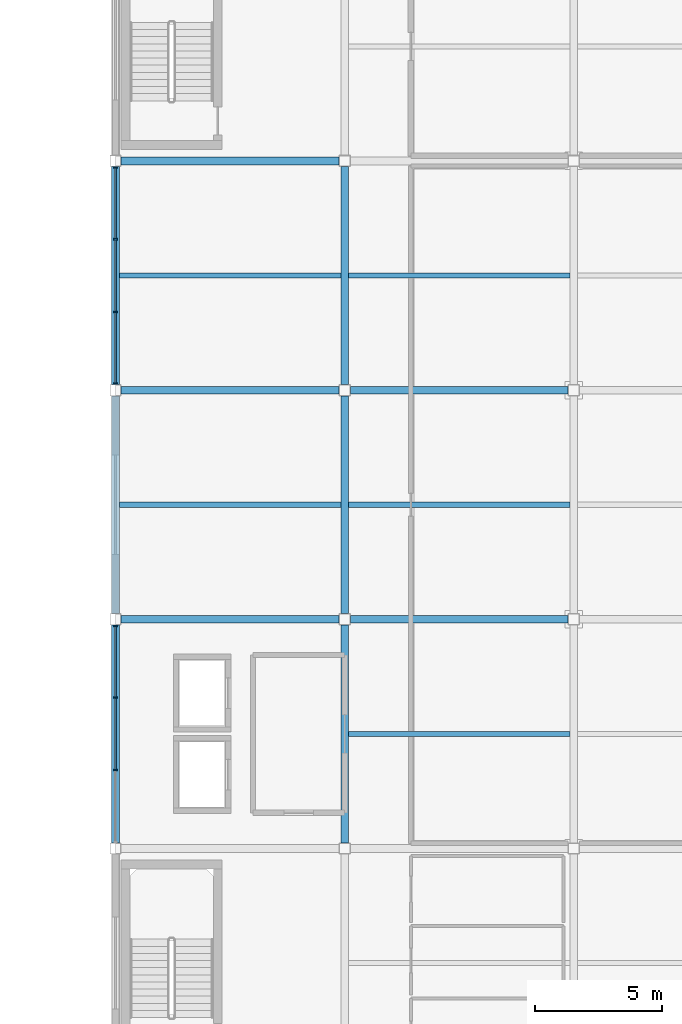
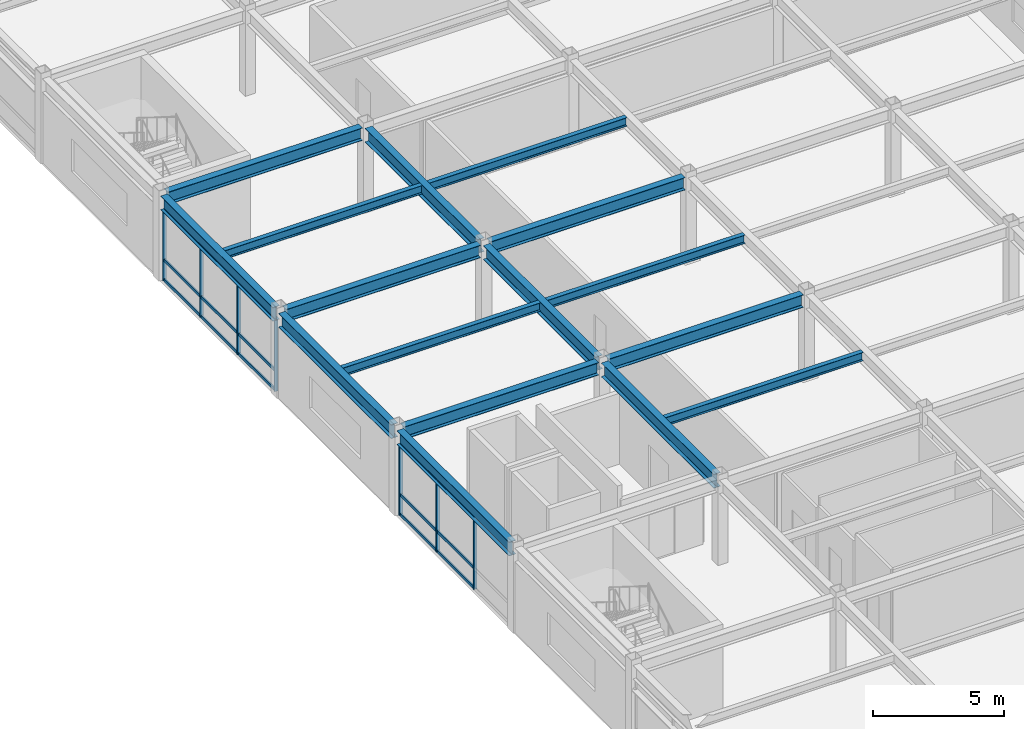
# One storey, part 56 of 105: 22 members, 16 beams, 2 elements without a shape of their own.
"""IFC4 building model written with IfcOpenShell, lengths in metres."""

import ifcopenshell
import ifcopenshell.guid

model = None  # the IFC model being written
_history = None  # IfcOwnerHistory: only IFC2X3 demands one
_inside = {}  # id of a spatial element -> (the spatial element, [elements in it])
_under = {}  # id of a project, library or spatial element -> (it, [spatial elements below it])
_declared = {}  # id of a project -> (the project, [libraries it declares])
_typed = {}  # id of a type object -> (the type object, [elements of that type])
_made_of = {}  # id of a material, layer set ... -> (it, [elements and type objects made of it])


def new_model(schema):
    """Start an empty IFC model of exactly this schema.

    Asked for "IFC4X3", IfcOpenShell would pick the latest addendum, in which some entities
    have other attributes; the version numbers below select the first issue.
    IFC2X3 requires an IfcOwnerHistory on every rooted entity: one is made here for all.
    """
    global model, _history
    if schema == "IFC4X3":
        model = ifcopenshell.file(schema_version=(4, 3, 0, 0))
    else:
        model = ifcopenshell.file(schema=schema)
    _inside.clear()
    _under.clear()
    _declared.clear()
    _typed.clear()
    _made_of.clear()
    _history = None
    if model.schema == "IFC2X3":
        org = make("IfcOrganization", Name="unknown")
        user = make(
            "IfcPersonAndOrganization",
            ThePerson=make("IfcPerson", FamilyName="unknown"),
            TheOrganization=org,
        )
        app = make(
            "IfcApplication",
            ApplicationDeveloper=org,
            Version="unknown",
            ApplicationFullName="unknown",
            ApplicationIdentifier="unknown",
        )
        _history = make(
            "IfcOwnerHistory",
            OwningUser=user,
            OwningApplication=app,
            ChangeAction="ADDED",
            CreationDate=0,
        )
    return model


def make(cls, **values):
    """One entity of the class cls with the attributes given. An attribute that is None is left unset."""
    return model.create_entity(
        cls, **{name: value for name, value in values.items() if value is not None}
    )


def rooted(cls, **values):
    """An entity with a GlobalId (a new one), such as an element, a storey or a relation."""
    return make(cls, GlobalId=ifcopenshell.guid.new(), OwnerHistory=_history, **values)


def si_unit(unit_type, name, prefix=None):
    """IfcSIUnit, for example si_unit("LENGTHUNIT", "METRE", prefix="MILLI")."""
    return make("IfcSIUnit", UnitType=unit_type, Prefix=prefix, Name=name)


def assignment(units):
    """IfcUnitAssignment: the units of a project."""
    return None if units is None else make("IfcUnitAssignment", Units=units)


def point(xyz):
    """IfcCartesianPoint."""
    return None if xyz is None else make("IfcCartesianPoint", Coordinates=xyz)


def direction(xyz):
    """IfcDirection."""
    return None if xyz is None else make("IfcDirection", DirectionRatios=xyz)


def frame(location, z_axis=None, x_axis=None):
    """IfcAxis2Placement3D, a coordinate frame: its origin and axes. An axis left out is left unset."""
    return make(
        "IfcAxis2Placement3D",
        Location=point(location),
        Axis=direction(z_axis),
        RefDirection=direction(x_axis),
    )


def frame_2d(location, x_axis=None):
    """IfcAxis2Placement2D, a coordinate frame in the plane: its origin and x axis."""
    return make(
        "IfcAxis2Placement2D", Location=point(location), RefDirection=direction(x_axis)
    )


def origin():
    """The frame at (0, 0, 0) with its axes left unset."""
    return frame((0.0, 0.0, 0.0))


def origin_2d():
    """The frame at (0, 0) in the plane with its x axis left unset."""
    return frame_2d((0.0, 0.0))


def place(relative_to, where):
    """IfcLocalPlacement: puts the frame where relative to a parent placement (None: the world)."""
    return make(
        "IfcLocalPlacement", PlacementRelTo=relative_to, RelativePlacement=where
    )


def context(
    kind, dimensions, precision=None, world=None, true_north=None, identifier=None
):
    """IfcGeometricRepresentationContext, for example the 3D "Model" context."""
    return make(
        "IfcGeometricRepresentationContext",
        ContextIdentifier=identifier,
        ContextType=kind,
        CoordinateSpaceDimension=dimensions,
        Precision=precision,
        WorldCoordinateSystem=world,
        TrueNorth=true_north,
    )


def subcontext(parent, identifier, kind, view, scale=None):
    """IfcGeometricRepresentationSubContext, for example "Body" below "Model"."""
    return make(
        "IfcGeometricRepresentationSubContext",
        ContextIdentifier=identifier,
        ContextType=kind,
        ParentContext=parent,
        TargetScale=scale,
        TargetView=view,
    )


def project(units=None, contexts=None):
    """IfcProject with its units and contexts."""
    return rooted(
        "IfcProject",
        Name="project",
        RepresentationContexts=contexts,
        UnitsInContext=assignment(units),
    )


def spatial(cls, under=None, at=None, **own):
    """A site, building, storey or space (cls), placed at a placement, below another one or the project."""
    s = rooted(cls, ObjectPlacement=at, **own)
    if under is not None:
        _under.setdefault(under.id(), (under, []))[1].append(s)
    return s


def profile(cls, at=None, kind="AREA", **sizes):
    """A parametric profile (cls). Its sizes go by their IFC names, for example OverallWidth=200.0."""
    return make(cls, ProfileType=kind, Position=at, **sizes)


def rectangle(**sizes):
    """IfcRectangleProfileDef."""
    return profile("IfcRectangleProfileDef", **sizes)


def i_section(**sizes):
    """IfcIShapeProfileDef."""
    return profile("IfcIShapeProfileDef", **sizes)


def extrude(swept, where, along, depth):
    """IfcExtrudedAreaSolid: the profile swept, set in the frame where, extruded along a direction by depth."""
    return make(
        "IfcExtrudedAreaSolid",
        SweptArea=swept,
        Position=where,
        ExtrudedDirection=direction(along),
        Depth=depth,
    )


def shape(context_of_items, identifier, shape_type, items):
    """IfcShapeRepresentation: the items that make up one representation, for example the "Body"."""
    return make(
        "IfcShapeRepresentation",
        ContextOfItems=context_of_items,
        RepresentationIdentifier=identifier,
        RepresentationType=shape_type,
        Items=items,
    )


def material(Name=None, Category=None):
    """IfcMaterial."""
    return make("IfcMaterial", Name=Name, Category=Category)


def material_profile(
    of_material, cross_section, Name=None, Category=None, Priority=None
):
    """IfcMaterialProfile: a cross section and its material."""
    return make(
        "IfcMaterialProfile",
        Name=Name,
        Material=of_material,
        Profile=cross_section,
        Priority=Priority,
        Category=Category,
    )


def profile_set(profiles, Name=None, composite=None):
    """IfcMaterialProfileSet."""
    return make(
        "IfcMaterialProfileSet",
        Name=Name,
        MaterialProfiles=profiles,
        CompositeProfile=composite,
    )


def made_of(thing, what):
    """Note that an element or type object is made of a material, layer set ...; save() writes the relation."""
    if what is not None:
        _made_of.setdefault(what.id(), (what, []))[1].append(thing)
    return thing


def type_object(cls, material=None, **own):
    """A type object (cls), such as IfcWallType, which elements share."""
    return made_of(rooted(cls, **own), material)


def element(
    cls,
    number,
    at=None,
    inside=None,
    cuts=None,
    type_object=None,
    material=None,
    context=None,
    identifier="Body",
    shape_type=None,
    held_by="IfcProductDefinitionShape",
    body=None,
    shapes=None,
    **own,
):
    """One element of the class cls, such as IfcWall. Its Tag is "e" and its number.

    at: its placement. inside: the storey or other place that contains it. cuts: it is an
    opening in that element (IfcRelVoidsElement). A single representation is given by context,
    identifier, shape_type and body (its items); several are given by shapes. held_by: the class
    of the entity that holds the representations. save() writes the other relations.
    """
    e = rooted(cls, Tag="e%d" % number, ObjectPlacement=at, **own)
    if body is not None:
        shapes = [shape(context, identifier, shape_type, body)]
    if shapes is not None:
        e.Representation = make(held_by, Representations=shapes)
    if inside is not None:
        _inside.setdefault(inside.id(), (inside, []))[1].append(e)
    if cuts is not None:
        rooted(
            "IfcRelVoidsElement", RelatingBuildingElement=cuts, RelatedOpeningElement=e
        )
    if type_object is not None:
        _typed.setdefault(type_object.id(), (type_object, []))[1].append(e)
    return made_of(e, material)


def aggregate(whole, parts):
    """IfcRelAggregates: a whole, such as a stair, and the parts it consists of."""
    return rooted("IfcRelAggregates", RelatingObject=whole, RelatedObjects=parts)


def save(model, path):
    """Write the relations noted so far, then the file.

    IfcRelAggregates (storeys below a building ...), IfcRelContainedInSpatialStructure (elements
    in a storey), IfcRelDefinesByType, IfcRelAssociatesMaterial and IfcRelDeclares: one each for
    every whole, place, type object, material and project.
    """
    for whole, parts in _under.values():
        aggregate(whole, parts)
    for where, things in _inside.values():
        rooted(
            "IfcRelContainedInSpatialStructure",
            RelatedElements=things,
            RelatingStructure=where,
        )
    for kind, things in _typed.values():
        rooted("IfcRelDefinesByType", RelatedObjects=things, RelatingType=kind)
    for what, things in _made_of.values():
        rooted("IfcRelAssociatesMaterial", RelatedObjects=things, RelatingMaterial=what)
    for by, libraries in _declared.values():
        rooted("IfcRelDeclares", RelatingContext=by, RelatedDefinitions=libraries)
    model.write(path)


model = new_model("IFC4")

# Units and contexts
model_context = context("Model", 3, precision=1e-05, world=origin(), true_north=direction((0.0, 1.0)))
body_context = subcontext(model_context, "Body", "Model", "MODEL_VIEW")
ifc_project = project(units=[si_unit("LENGTHUNIT", "METRE"), si_unit("AREAUNIT", "SQUARE_METRE"), si_unit("VOLUMEUNIT", "CUBIC_METRE"), si_unit("PLANEANGLEUNIT", "RADIAN"), si_unit("MASSUNIT", "GRAM", prefix="KILO")], contexts=[model_context])

# Site, building, storey
site_placement = place(None, origin())
site = spatial("IfcSite", under=ifc_project, at=site_placement, CompositionType="ELEMENT")
building_placement = place(site_placement, origin())
building = spatial("IfcBuilding", under=site, at=building_placement, Name="Suzunagisa Mobility Hub", CompositionType="ELEMENT")
storey_placement = place(building_placement, frame((0.0, 0.0, 5.10009765625)))
storey = spatial("IfcBuildingStorey", under=building, at=storey_placement, Name="L01", CompositionType="ELEMENT", Elevation=5.10009765625)

# Curtain wall, members
ifc_material_1 = material(Name="Thermally Broken Anodized Aluminum and Low-E Glazing", Category="aluminium")
curtain_wall_type = type_object("IfcCurtainWallType", Name="Unitised Curtain Wall CW-43 8500x3300", PredefinedType="USERDEFINED", material=ifc_material_1)
curtain_wall_1_placement = place(storey_placement, origin())
curtain_wall_1 = element("IfcCurtainWall", 1, at=curtain_wall_1_placement, inside=storey, type_object=curtain_wall_type, Name="L01 Unitised Curtain Wall CW-193", ObjectType="UNITISED CURTAIN WALL", PredefinedType="USERDEFINED")
ifc_material_2 = material(Name="Anodized Aluminum 6063-T6", Category="aluminium")
ifc_material_profile_1 = material_profile(ifc_material_2, rectangle(XDim=0.06494140625, YDim=0.139892578125, at=origin_2d()), Name="TRAN-65x140")
ifc_profile_set_1 = profile_set([ifc_material_profile_1], Name="Anodized Aluminum 6063-T6")
member_type_1 = type_object("IfcMemberType", Name="Curtain Wall Framing CM-01 TRAN-65x140", PredefinedType="USERDEFINED", material=ifc_profile_set_1)
member_1_placement = place(storey_placement, frame((144.0, 88.717041015625, 0.032470703125), z_axis=(0.0, -1.0, 0.0), x_axis=(1.0, 0.0, 0.0)))
member_1 = element("IfcMember", 2, at=member_1_placement, type_object=member_type_1, Name="Curtain Wall Transom 193-T1.1", ObjectType="TRANSOM", PredefinedType="USERDEFINED", context=body_context, shape_type="SweptSolid", body=[
    extrude(rectangle(XDim=0.06494140625, YDim=0.139892578125, at=origin_2d()), origin(), (0.0, 0.0, 1.0), 2.76416015625),
])
member_2_placement = place(storey_placement, frame((144.0, 88.717041015625, 0.949951171875), z_axis=(0.0, -1.0, 0.0), x_axis=(1.0, 0.0, 0.0)))
member_2 = element("IfcMember", 3, at=member_2_placement, type_object=member_type_1, Name="Curtain Wall Transom 193-T1.2", ObjectType="TRANSOM", PredefinedType="USERDEFINED", context=body_context, shape_type="SweptSolid", body=[
    extrude(rectangle(XDim=0.06494140625, YDim=0.139892578125, at=origin_2d()), origin(), (0.0, 0.0, 1.0), 2.76416015625),
])
member_3_placement = place(storey_placement, frame((144.0, 88.717041015625, 3.267333984375), z_axis=(0.0, -1.0, 0.0), x_axis=(1.0, 0.0, 0.0)))
member_3 = element("IfcMember", 4, at=member_3_placement, type_object=member_type_1, Name="Curtain Wall Transom 193-T1.3", ObjectType="TRANSOM", PredefinedType="USERDEFINED", context=body_context, shape_type="SweptSolid", body=[
    extrude(rectangle(XDim=0.06494140625, YDim=0.139892578125, at=origin_2d()), origin(), (0.0, 0.0, 1.0), 2.76416015625),
])
member_4_placement = place(storey_placement, frame((144.0, 85.89697265625, 0.032470703125), z_axis=(0.0, -1.0, 0.0), x_axis=(1.0, 0.0, 0.0)))
member_4 = element("IfcMember", 5, at=member_4_placement, type_object=member_type_1, Name="Curtain Wall Transom 193-T2.1", ObjectType="TRANSOM", PredefinedType="USERDEFINED", context=body_context, shape_type="SweptSolid", body=[
    extrude(rectangle(XDim=0.06494140625, YDim=0.139892578125, at=origin_2d()), origin(), (0.0, 0.0, 1.0), 2.7939453125),
])
member_5_placement = place(storey_placement, frame((144.0, 85.89697265625, 0.949951171875), z_axis=(0.0, -1.0, 0.0), x_axis=(1.0, 0.0, 0.0)))
member_5 = element("IfcMember", 6, at=member_5_placement, type_object=member_type_1, Name="Curtain Wall Transom 193-T2.2", ObjectType="TRANSOM", PredefinedType="USERDEFINED", context=body_context, shape_type="SweptSolid", body=[
    extrude(rectangle(XDim=0.06494140625, YDim=0.139892578125, at=origin_2d()), origin(), (0.0, 0.0, 1.0), 2.7939453125),
])
member_6_placement = place(storey_placement, frame((144.0, 85.89697265625, 3.267333984375), z_axis=(0.0, -1.0, 0.0), x_axis=(1.0, 0.0, 0.0)))
member_6 = element("IfcMember", 7, at=member_6_placement, type_object=member_type_1, Name="Curtain Wall Transom 193-T2.3", ObjectType="TRANSOM", PredefinedType="USERDEFINED", context=body_context, shape_type="SweptSolid", body=[
    extrude(rectangle(XDim=0.06494140625, YDim=0.139892578125, at=origin_2d()), origin(), (0.0, 0.0, 1.0), 2.7939453125),
])
member_7_placement = place(storey_placement, frame((144.0, 83.047119140625, 0.032470703125), z_axis=(0.0, -1.0, 0.0), x_axis=(1.0, 0.0, 0.0)))
member_7 = element("IfcMember", 8, at=member_7_placement, type_object=member_type_1, Name="Curtain Wall Transom 193-T3.1", ObjectType="TRANSOM", PredefinedType="USERDEFINED", context=body_context, shape_type="SweptSolid", body=[
    extrude(rectangle(XDim=0.06494140625, YDim=0.139892578125, at=origin_2d()), origin(), (0.0, 0.0, 1.0), 2.76416015625),
])
member_8_placement = place(storey_placement, frame((144.0, 83.047119140625, 0.949951171875), z_axis=(0.0, -1.0, 0.0), x_axis=(1.0, 0.0, 0.0)))
member_8 = element("IfcMember", 9, at=member_8_placement, type_object=member_type_1, Name="Curtain Wall Transom 193-T3.2", ObjectType="TRANSOM", PredefinedType="USERDEFINED", context=body_context, shape_type="SweptSolid", body=[
    extrude(rectangle(XDim=0.06494140625, YDim=0.139892578125, at=origin_2d()), origin(), (0.0, 0.0, 1.0), 2.76416015625),
])
member_9_placement = place(storey_placement, frame((144.0, 83.047119140625, 3.267333984375), z_axis=(0.0, -1.0, 0.0), x_axis=(1.0, 0.0, 0.0)))
member_9 = element("IfcMember", 10, at=member_9_placement, type_object=member_type_1, Name="Curtain Wall Transom 193-T3.3", ObjectType="TRANSOM", PredefinedType="USERDEFINED", context=body_context, shape_type="SweptSolid", body=[
    extrude(rectangle(XDim=0.06494140625, YDim=0.139892578125, at=origin_2d()), origin(), (0.0, 0.0, 1.0), 2.76416015625),
])

curtain_wall_2_placement = place(storey_placement, origin())
curtain_wall_2 = element("IfcCurtainWall", 11, at=curtain_wall_2_placement, inside=storey, type_object=curtain_wall_type, Name="L01 Unitised Curtain Wall CW-194", ObjectType="UNITISED CURTAIN WALL", PredefinedType="USERDEFINED")
member_10_placement = place(storey_placement, frame((144.0, 70.717041015625, 0.032470703125), z_axis=(0.0, -1.0, 0.0), x_axis=(1.0, 0.0, 0.0)))
member_10 = element("IfcMember", 12, at=member_10_placement, type_object=member_type_1, Name="Curtain Wall Transom 194-T1.1", ObjectType="TRANSOM", PredefinedType="USERDEFINED", context=body_context, shape_type="SweptSolid", body=[
    extrude(rectangle(XDim=0.06494140625, YDim=0.139892578125, at=origin_2d()), origin(), (0.0, 0.0, 1.0), 2.76416015625),
])
member_11_placement = place(storey_placement, frame((144.0, 70.717041015625, 0.949951171875), z_axis=(0.0, -1.0, 0.0), x_axis=(1.0, 0.0, 0.0)))
member_11 = element("IfcMember", 13, at=member_11_placement, type_object=member_type_1, Name="Curtain Wall Transom 194-T1.2", ObjectType="TRANSOM", PredefinedType="USERDEFINED", context=body_context, shape_type="SweptSolid", body=[
    extrude(rectangle(XDim=0.06494140625, YDim=0.139892578125, at=origin_2d()), origin(), (0.0, 0.0, 1.0), 2.76416015625),
])
member_12_placement = place(storey_placement, frame((144.0, 70.717041015625, 3.267333984375), z_axis=(0.0, -1.0, 0.0), x_axis=(1.0, 0.0, 0.0)))
member_12 = element("IfcMember", 14, at=member_12_placement, type_object=member_type_1, Name="Curtain Wall Transom 194-T1.3", ObjectType="TRANSOM", PredefinedType="USERDEFINED", context=body_context, shape_type="SweptSolid", body=[
    extrude(rectangle(XDim=0.06494140625, YDim=0.139892578125, at=origin_2d()), origin(), (0.0, 0.0, 1.0), 2.76416015625),
])
member_13_placement = place(storey_placement, frame((144.0, 67.89697265625, 0.032470703125), z_axis=(0.0, -1.0, 0.0), x_axis=(1.0, 0.0, 0.0)))
member_13 = element("IfcMember", 15, at=member_13_placement, type_object=member_type_1, Name="Curtain Wall Transom 194-T2.1", ObjectType="TRANSOM", PredefinedType="USERDEFINED", context=body_context, shape_type="SweptSolid", body=[
    extrude(rectangle(XDim=0.06494140625, YDim=0.139892578125, at=origin_2d()), origin(), (0.0, 0.0, 1.0), 2.7939453125),
])
member_14_placement = place(storey_placement, frame((144.0, 67.89697265625, 0.949951171875), z_axis=(0.0, -1.0, 0.0), x_axis=(1.0, 0.0, 0.0)))
member_14 = element("IfcMember", 16, at=member_14_placement, type_object=member_type_1, Name="Curtain Wall Transom 194-T2.2", ObjectType="TRANSOM", PredefinedType="USERDEFINED", context=body_context, shape_type="SweptSolid", body=[
    extrude(rectangle(XDim=0.06494140625, YDim=0.139892578125, at=origin_2d()), origin(), (0.0, 0.0, 1.0), 2.7939453125),
])
member_15_placement = place(storey_placement, frame((144.0, 67.89697265625, 3.267333984375), z_axis=(0.0, -1.0, 0.0), x_axis=(1.0, 0.0, 0.0)))
member_15 = element("IfcMember", 17, at=member_15_placement, type_object=member_type_1, Name="Curtain Wall Transom 194-T2.3", ObjectType="TRANSOM", PredefinedType="USERDEFINED", context=body_context, shape_type="SweptSolid", body=[
    extrude(rectangle(XDim=0.06494140625, YDim=0.139892578125, at=origin_2d()), origin(), (0.0, 0.0, 1.0), 2.7939453125),
])

# Member
ifc_material_profile_2 = material_profile(ifc_material_2, rectangle(XDim=0.06005859375, YDim=0.14990234375, at=origin_2d()), Name="MULL-60x150")
ifc_profile_set_2 = profile_set([ifc_material_profile_2], Name="Anodized Aluminum 6063-T6")
member_type_2 = type_object("IfcMemberType", Name="Curtain Wall Framing CM-03 MULL-60x150", PredefinedType="MULLION", material=ifc_profile_set_2)
member_16_placement = place(storey_placement, frame((144.0, 88.7451171875, 0.0), z_axis=(0.0, 0.0, 1.0), x_axis=(0.0, -1.0, 0.0)))
member_16 = element("IfcMember", 18, at=member_16_placement, type_object=member_type_2, Name="Curtain Wall Mullion 193-M1", PredefinedType="MULLION", context=body_context, shape_type="SweptSolid", body=[
    extrude(rectangle(XDim=0.06005859375, YDim=0.14990234375, at=origin_2d()), origin(), (0.0, 0.0, 1.0), 3.2998046875),
])

member_17_placement = place(storey_placement, frame((144.0, 85.925048828125, 0.0), z_axis=(0.0, 0.0, 1.0), x_axis=(0.0, -1.0, 0.0)))
member_17 = element("IfcMember", 19, at=member_17_placement, type_object=member_type_2, Name="Curtain Wall Mullion 193-M2", PredefinedType="MULLION", context=body_context, shape_type="SweptSolid", body=[
    extrude(rectangle(XDim=0.06005859375, YDim=0.14990234375, at=origin_2d()), origin(), (0.0, 0.0, 1.0), 3.2998046875),
])

member_18_placement = place(storey_placement, frame((144.0, 83.074951171875, 0.0), z_axis=(0.0, 0.0, 1.0), x_axis=(0.0, -1.0, 0.0)))
member_18 = element("IfcMember", 20, at=member_18_placement, type_object=member_type_2, Name="Curtain Wall Mullion 193-M3", PredefinedType="MULLION", context=body_context, shape_type="SweptSolid", body=[
    extrude(rectangle(XDim=0.06005859375, YDim=0.14990234375, at=origin_2d()), origin(), (0.0, 0.0, 1.0), 3.2998046875),
])

member_19_placement = place(storey_placement, frame((144.0, 80.2548828125, 0.0), z_axis=(0.0, 0.0, 1.0), x_axis=(0.0, -1.0, 0.0)))
member_19 = element("IfcMember", 21, at=member_19_placement, type_object=member_type_2, Name="Curtain Wall Mullion 193-M4", PredefinedType="MULLION", context=body_context, shape_type="SweptSolid", body=[
    extrude(rectangle(XDim=0.06005859375, YDim=0.14990234375, at=origin_2d()), origin(), (0.0, 0.0, 1.0), 3.2998046875),
])

aggregate(curtain_wall_1, [member_16, member_17, member_18, member_19, member_1, member_2, member_3, member_4, member_5, member_6, member_7, member_8, member_9])

member_20_placement = place(storey_placement, frame((144.0, 70.7451171875, 0.0), z_axis=(0.0, 0.0, 1.0), x_axis=(0.0, -1.0, 0.0)))
member_20 = element("IfcMember", 22, at=member_20_placement, type_object=member_type_2, Name="Curtain Wall Mullion 194-M1", PredefinedType="MULLION", context=body_context, shape_type="SweptSolid", body=[
    extrude(rectangle(XDim=0.06005859375, YDim=0.14990234375, at=origin_2d()), origin(), (0.0, 0.0, 1.0), 3.2998046875),
])

member_21_placement = place(storey_placement, frame((144.0, 67.925048828125, 0.0), z_axis=(0.0, 0.0, 1.0), x_axis=(0.0, -1.0, 0.0)))
member_21 = element("IfcMember", 23, at=member_21_placement, type_object=member_type_2, Name="Curtain Wall Mullion 194-M2", PredefinedType="MULLION", context=body_context, shape_type="SweptSolid", body=[
    extrude(rectangle(XDim=0.06005859375, YDim=0.14990234375, at=origin_2d()), origin(), (0.0, 0.0, 1.0), 3.2998046875),
])

member_22_placement = place(storey_placement, frame((144.0, 65.074951171875, 0.0), z_axis=(0.0, 0.0, 1.0), x_axis=(0.0, -1.0, 0.0)))
member_22 = element("IfcMember", 24, at=member_22_placement, type_object=member_type_2, Name="Curtain Wall Mullion 194-M3", PredefinedType="MULLION", context=body_context, shape_type="SweptSolid", body=[
    extrude(rectangle(XDim=0.06005859375, YDim=0.14990234375, at=origin_2d()), origin(), (0.0, 0.0, 1.0), 3.2998046875),
])

aggregate(curtain_wall_2, [member_20, member_21, member_22, member_10, member_11, member_12, member_13, member_14, member_15])

# Beams
ifc_material_3 = material(Name="Steel SN490B", Category="steel")
ifc_material_profile_3 = material_profile(ifc_material_3, i_section(OverallWidth=0.300048828125, OverallDepth=0.64990234375, WebThickness=0.012939453125, FlangeThickness=0.02197265625, FilletRadius=0.01611328125, at=origin_2d()), Name="H-650x300x13x22")
ifc_profile_set_3 = profile_set([ifc_material_profile_3], Name="Steel SN490B")
beam_type_1 = type_object("IfcBeamType", Name="Steel Beam BM-10 H-650x300x13x22", PredefinedType="BEAM", material=ifc_profile_set_3)
for number, where, z_axis, x_axis, name in (
    (25, (144.0, 62.220947265625, 3.625), (0.0, 1.0, 0.0), (-1.0, 0.0, 0.0), "L01 Primary Girder GY-1825"),
    (26, (144.0, 71.220947265625, 3.625), (0.0, 1.0, 0.0), (-1.0, 0.0, 0.0), "L01 Primary Girder GY-1826"),
    (27, (144.0, 80.220947265625, 3.625), (0.0, 1.0, 0.0), (-1.0, 0.0, 0.0), "L01 Primary Girder GY-1827"),
    (28, (153.0, 62.220947265625, 3.625), (0.0, 1.0, 0.0), (-1.0, 0.0, 0.0), "L01 Primary Girder GY-1831"),
    (29, (153.0, 71.220947265625, 3.625), (0.0, 1.0, 0.0), (-1.0, 0.0, 0.0), "L01 Primary Girder GY-1832"),
    (30, (153.0, 80.220947265625, 3.625), (0.0, 1.0, 0.0), (-1.0, 0.0, 0.0), "L01 Primary Girder GY-1833"),
):
    element("IfcBeam", number, at=place(storey_placement, frame(where, z_axis=z_axis, x_axis=x_axis)), inside=storey, type_object=beam_type_1, Name=name, PredefinedType="BEAM", context=body_context, shape_type="SweptSolid", body=[
        extrude(i_section(OverallWidth=0.300048828125, OverallDepth=0.64990234375, WebThickness=0.012939453125, FlangeThickness=0.02197265625, FilletRadius=0.01611328125, at=origin_2d()), origin(), (0.0, 0.0, 1.0), 8.55810546875),
    ])
ifc_material_4 = material(Name="Steel SN400B", Category="steel")
ifc_material_profile_4 = material_profile(ifc_material_4, i_section(OverallWidth=0.199951171875, OverallDepth=0.39990234375, WebThickness=0.008056640625, FlangeThickness=0.012939453125, FilletRadius=0.012939453125, at=origin_2d()), Name="H-400x200x8x13")
ifc_profile_set_4 = profile_set([ifc_material_profile_4], Name="Steel SN400B")
beam_type_2 = type_object("IfcBeamType", Name="Steel Beam BM-14 H-400x200x8x13", PredefinedType="JOIST", material=ifc_profile_set_4)
for number, where, z_axis, x_axis, name in (
    (31, (144.14990234375, 75.5, 3.75), (1.0, 0.0, 0.0), (0.0, 1.0, 0.0), "L01 Composite Floor Joist J-1854"),
    (32, (144.14990234375, 84.5, 3.75), (1.0, 0.0, 0.0), (0.0, 1.0, 0.0), "L01 Composite Floor Joist J-1855"),
    (33, (153.14990234375, 66.5, 3.75), (1.0, 0.0, 0.0), (0.0, 1.0, 0.0), "L01 Composite Floor Joist J-1858"),
    (34, (153.14990234375, 75.5, 3.75), (1.0, 0.0, 0.0), (0.0, 1.0, 0.0), "L01 Composite Floor Joist J-1859"),
    (35, (153.14990234375, 84.5, 3.75), (1.0, 0.0, 0.0), (0.0, 1.0, 0.0), "L01 Composite Floor Joist J-1860"),
):
    element("IfcBeam", number, at=place(storey_placement, frame(where, z_axis=z_axis, x_axis=x_axis)), inside=storey, type_object=beam_type_2, Name=name, PredefinedType="JOIST", context=body_context, shape_type="SweptSolid", body=[
        extrude(i_section(OverallWidth=0.199951171875, OverallDepth=0.39990234375, WebThickness=0.008056640625, FlangeThickness=0.012939453125, FilletRadius=0.012939453125, at=origin_2d()), origin(), (0.0, 0.0, 1.0), 8.7001953125),
    ])
ifc_material_profile_5 = material_profile(ifc_material_3, i_section(OverallWidth=0.300048828125, OverallDepth=0.587890625, WebThickness=0.011962890625, FlangeThickness=0.02001953125, FilletRadius=0.012939453125, at=origin_2d()), Name="H-588x300x12x20")
ifc_profile_set_5 = profile_set([ifc_material_profile_5], Name="Steel SN490B")
beam_type_3 = type_object("IfcBeamType", Name="Steel Beam BM-16 H-588x300x12x20", PredefinedType="BEAM", material=ifc_profile_set_5)
for number, where, z_axis, x_axis, name in (
    (36, (144.220947265625, 71.0, 3.656005859375), (1.0, 0.0, 0.0), (0.0, 1.0, 0.0), "L01 Primary Girder GX-1807"),
    (37, (153.220947265625, 71.0, 3.656005859375), (1.0, 0.0, 0.0), (0.0, 1.0, 0.0), "L01 Primary Girder GX-1808"),
    (38, (144.220947265625, 80.0, 3.656005859375), (1.0, 0.0, 0.0), (0.0, 1.0, 0.0), "L01 Primary Girder GX-1811"),
    (39, (153.220947265625, 80.0, 3.656005859375), (1.0, 0.0, 0.0), (0.0, 1.0, 0.0), "L01 Primary Girder GX-1812"),
    (40, (144.220947265625, 89.0, 3.656005859375), (1.0, 0.0, 0.0), (0.0, 1.0, 0.0), "L01 Primary Girder GX-1815"),
):
    element("IfcBeam", number, at=place(storey_placement, frame(where, z_axis=z_axis, x_axis=x_axis)), inside=storey, type_object=beam_type_3, Name=name, PredefinedType="BEAM", context=body_context, shape_type="SweptSolid", body=[
        extrude(i_section(OverallWidth=0.300048828125, OverallDepth=0.587890625, WebThickness=0.011962890625, FlangeThickness=0.02001953125, FilletRadius=0.012939453125, at=origin_2d()), origin(), (0.0, 0.0, 1.0), 8.55810546875),
    ])

save(model, "model.ifc")
